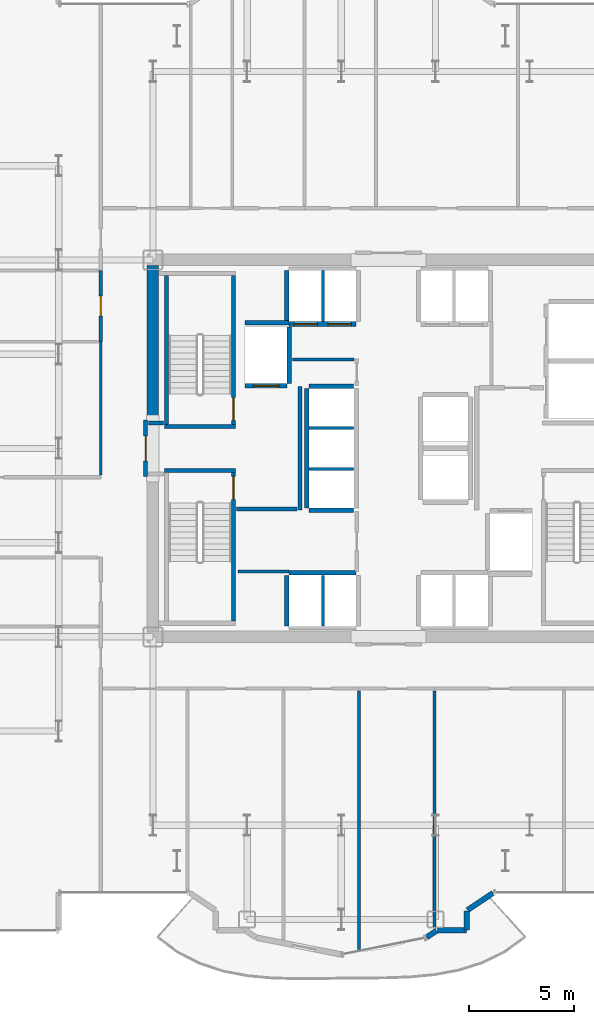
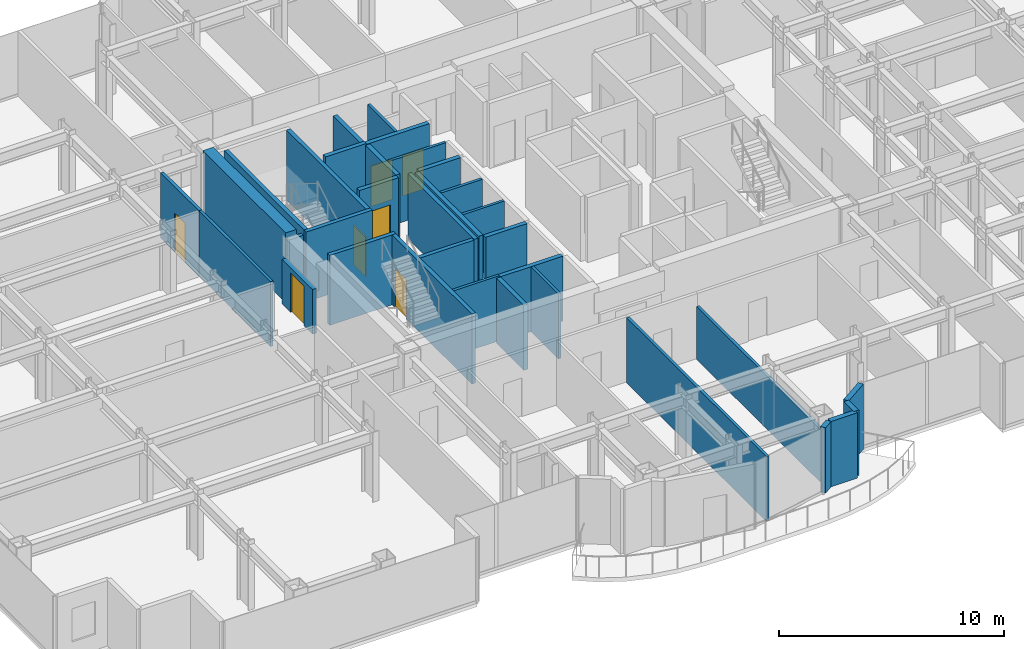
# One storey, part 23 of 29: 34 walls, 7 doors, 7 openings.
"""IFC4 building model written with IfcOpenShell, lengths in metres."""

from ifc_helpers import new_model, si_unit, direction, frame, frame_2d, origin, place, context, subcontext, project, spatial, rectangle, extrude, source, transform, mapped, material, layer, layer_set, type_object, element, fill, save


model = new_model("IFC4")

# Units and contexts
model_context = context("Model", 3, precision=1e-05, world=origin(), true_north=direction((0.0, 1.0)))
body_context = subcontext(model_context, "Body", "Model", "MODEL_VIEW")
ifc_project = project(units=[si_unit("LENGTHUNIT", "METRE"), si_unit("AREAUNIT", "SQUARE_METRE"), si_unit("VOLUMEUNIT", "CUBIC_METRE"), si_unit("PLANEANGLEUNIT", "RADIAN"), si_unit("MASSUNIT", "GRAM", prefix="KILO")], contexts=[model_context])

# Site, building, storey
site_placement = place(None, origin())
site = spatial("IfcSite", under=ifc_project, at=site_placement, CompositionType="ELEMENT")
building_placement = place(site_placement, origin())
building = spatial("IfcBuilding", under=site, at=building_placement, Name="Nefas-Gora Pilgrimage Tower", CompositionType="ELEMENT")
storey_placement = place(building_placement, frame((0.0, 0.0, 113.60009765625)))
storey = spatial("IfcBuildingStorey", under=building, at=storey_placement, Name="L27", CompositionType="ELEMENT", Elevation=113.60009765625)

# Walls
ifc_material_1 = material(Name="Concrete C60/75", Category="concrete")
ifc_layer_1 = layer(ifc_material_1, 0.550048828125)
ifc_layer_set_1 = layer_set([ifc_layer_1], Name="Concrete C60/75")
wall_type_1 = type_object("IfcWallType", Name="SW-CORE-550", PredefinedType="SHEAR", material=ifc_layer_set_1)
shared_shape_1 = source(origin(), body_context, "Body", "SweptSolid", [
    extrude(rectangle(XDim=7.375, YDim=0.550048828125, at=frame_2d((3.6875, 0.0))), origin(), (0.0, 0.0, 1.0), 3.7998046875),
])
wall_1_placement = place(storey_placement, frame((-11.25, 1.35009765625, 0.0), z_axis=(0.0, 0.0, 1.0), x_axis=(0.0, 1.0, 0.0)))
element("IfcWall", 1, at=wall_1_placement, inside=storey, type_object=wall_type_1, Name="L27 Core Shear Wall W-North", PredefinedType="SHEAR", context=body_context, shape_type="MappedRepresentation", body=[
    mapped(shared_shape_1, transform((0.0, 0.0, 0.0), x_axis=(1.0, 0.0, 0.0), y_axis=(0.0, 1.0, 0.0), z_axis=(0.0, 0.0, 1.0), scale=1.0)),
])
ifc_material_2 = material(Name="Precast concrete C40/50", Category="concrete")
ifc_layer_2 = layer(ifc_material_2, 0.260009765625)
ifc_layer_set_2 = layer_set([ifc_layer_2], Name="Precast concrete C40/50")
wall_type_2 = type_object("IfcWallType", Name="EW-PORTAL-260", PredefinedType="SOLIDWALL", material=ifc_layer_set_2)
shared_shape_2 = source(origin(), body_context, "Body", "SweptSolid", [
    extrude(rectangle(XDim=1.468994140625, YDim=0.260009765625, at=frame_2d((0.734375, 0.0))), origin(), (0.0, 0.0, 1.0), 3.5498046875),
])
wall_2_placement = place(storey_placement, frame((3.773193359375, -22.0517578125, 0.0), z_axis=(0.0, 0.0, 1.0), x_axis=(0.831461760506, 0.555581983884, 0.0)))
element("IfcWall", 2, at=wall_2_placement, inside=storey, type_object=wall_type_2, Name="L27 Lobe Shoulder Precast Spandrel Pier 42", PredefinedType="SOLIDWALL", context=body_context, shape_type="MappedRepresentation", body=[
    mapped(shared_shape_2, transform((0.0, 0.0, 0.0), x_axis=(1.0, 0.0, 0.0), y_axis=(0.0, 1.0, 0.0), z_axis=(0.0, 0.0, 1.0), scale=1.0)),
])
shared_shape_3 = source(origin(), body_context, "Body", "SweptSolid", [
    extrude(rectangle(XDim=0.896728515625, YDim=0.260009765625, at=frame_2d((0.4482421875, 0.0))), origin(), (0.0, 0.0, 1.0), 3.5498046875),
])
wall_3_placement = place(storey_placement, frame((3.75, -22.991943359375, 0.0), z_axis=(0.0, 0.0, 1.0), x_axis=(0.0, 1.0, 0.0)))
element("IfcWall", 3, at=wall_3_placement, inside=storey, type_object=wall_type_2, Name="L27 Lobe Shoulder Precast Spandrel Pier 41", PredefinedType="SOLIDWALL", context=body_context, shape_type="MappedRepresentation", body=[
    mapped(shared_shape_3, transform((0.0, 0.0, 0.0), x_axis=(1.0, 0.0, 0.0), y_axis=(0.0, 1.0, 0.0), z_axis=(0.0, 0.0, 1.0), scale=1.0)),
])
shared_shape_4 = source(origin(), body_context, "Body", "SweptSolid", [
    extrude(rectangle(XDim=1.369873046875, YDim=0.260009765625, at=frame_2d((0.68505859375, 0.0))), origin(), (0.0, 0.0, 1.0), 3.5498046875),
])
wall_4_placement = place(storey_placement, frame((2.35205078125, -23.02001953125, 0.0), z_axis=(0.0, 0.0, 1.0), x_axis=(1.0, 0.0, 0.0)))
element("IfcWall", 4, at=wall_4_placement, inside=storey, type_object=wall_type_2, Name="L27 Lobe Shoulder Precast Spandrel Pier 40", PredefinedType="SOLIDWALL", context=body_context, shape_type="MappedRepresentation", body=[
    mapped(shared_shape_4, transform((0.0, 0.0, 0.0), x_axis=(1.0, 0.0, 0.0), y_axis=(0.0, 1.0, 0.0), z_axis=(0.0, 0.0, 1.0), scale=1.0)),
])
shared_shape_5 = source(origin(), body_context, "Body", "SweptSolid", [
    extrude(rectangle(XDim=0.5654296875, YDim=0.260009765625, at=frame_2d((0.28271484375, 0.0))), origin(), (0.0, 0.0, 1.0), 3.5498046875),
])
wall_5_placement = place(storey_placement, frame((1.83056640625, -23.349609375, 0.0), z_axis=(0.0, 0.0, 1.0), x_axis=(0.831651492666, 0.555297933317, 0.0)))
element("IfcWall", 5, at=wall_5_placement, inside=storey, type_object=wall_type_2, Name="L27 Lobe Shoulder Precast Spandrel Pier 39", PredefinedType="SOLIDWALL", context=body_context, shape_type="MappedRepresentation", body=[
    mapped(shared_shape_5, transform((0.0, 0.0, 0.0), x_axis=(1.0, 0.0, 0.0), y_axis=(0.0, 1.0, 0.0), z_axis=(0.0, 0.0, 1.0), scale=1.0)),
])
ifc_material_3 = material(Name="Concrete C45/55", Category="concrete")
ifc_layer_3 = layer(ifc_material_3, 0.199951171875)
ifc_layer_set_3 = layer_set([ifc_layer_3], Name="Concrete C45/55")
wall_type_3 = type_object("IfcWallType", Name="IW-STAIR-200", PredefinedType="SOLIDWALL", material=ifc_layer_set_3)
shared_shape_6 = source(origin(), body_context, "Body", "SweptSolid", [
    extrude(rectangle(XDim=3.39990234375, YDim=0.199951171875, at=frame_2d((1.699951171875, 0.0))), origin(), (0.0, 0.0, 1.0), 3.7998046875),
])
for number, where, z_axis, x_axis, name in (
    (6, (-7.300048828125, 1.050048828125, 0.0), (0.0, 0.0, 1.0), (-1.0, 0.0, 0.0), "L27 Stairwell Shear Wall ST-01-near"),
    (7, (-10.699951171875, -1.050048828125, 0.0), (0.0, 0.0, 1.0), (1.0, 0.0, 0.0), "L27 Stairwell Shear Wall ST-03-near"),
):
    element("IfcWall", number, at=place(storey_placement, frame(where, z_axis=z_axis, x_axis=x_axis)), inside=storey, type_object=wall_type_3, Name=name, PredefinedType="SOLIDWALL", context=body_context, shape_type="MappedRepresentation", body=[
        mapped(shared_shape_6, transform((0.0, 0.0, 0.0), x_axis=(1.0, 0.0, 0.0), y_axis=(0.0, 1.0, 0.0), z_axis=(0.0, 0.0, 1.0), scale=1.0)),
    ])

# Wall, opening, door
shared_shape_7 = source(origin(), body_context, "Body", "SweptSolid", [
    extrude(rectangle(XDim=7.10009765625, YDim=0.199951171875, at=frame_2d((3.550048828125, 0.0))), origin(), (0.0, 0.0, 1.0), 3.7998046875),
])
wall_6_placement = place(storey_placement, frame((-7.39990234375, 1.14990234375, 0.0), z_axis=(0.0, 0.0, 1.0), x_axis=(0.0, 1.0, 0.0)))
wall_6 = element("IfcWall", 8, at=wall_6_placement, inside=storey, type_object=wall_type_3, Name="L27 Stairwell Shear Wall ST-01-left", PredefinedType="SOLIDWALL", context=body_context, shape_type="MappedRepresentation", body=[
    mapped(shared_shape_7, transform((0.0, 0.0, 0.0), x_axis=(1.0, 0.0, 0.0), y_axis=(0.0, 1.0, 0.0), z_axis=(0.0, 0.0, 1.0), scale=1.0)),
])
opening_1_placement = place(wall_6_placement, frame((0.179931640625, 0.0, 0.0)))
opening_1 = element("IfcOpeningElement", 9, at=opening_1_placement, cuts=wall_6, Name="Opening ID-ST1", PredefinedType="OPENING", context=body_context, shape_type="SweptSolid", body=[
    extrude(rectangle(XDim=1.10009765625, YDim=2.14990234375, at=frame_2d((0.550048828125, 1.074951171875))), frame((0.0, 0.10986328125, 0.0), z_axis=(0.0, -1.0, 0.0), x_axis=(1.0, 0.0, 0.0)), (0.0, 0.0, 1.0), 0.219970703125),
])
ifc_material_4 = material(Name="Painted galvanised steel fire stair door", Category="steel")
door_type_1 = type_object("IfcDoorType", Name="DR-INT-STAIR-1100", OperationType="NOTDEFINED", PredefinedType="DOOR", material=ifc_material_4)
shared_shape_8 = source(origin(), body_context, "Body", "SweptSolid", [
    extrude(rectangle(XDim=1.10009765625, YDim=2.14990234375, at=frame_2d((0.550048828125, 1.074951171875))), frame((0.0, 0.02490234375, 0.0), z_axis=(0.0, -1.0, 0.0), x_axis=(1.0, 0.0, 0.0)), (0.0, 0.0, 1.0), 0.050048828125),
])
door_1_placement = place(opening_1_placement, origin())
door_1 = element("IfcDoor", 10, at=door_1_placement, inside=storey, type_object=door_type_1, Name="L27 Protected Exit Stair Door ST-01", OperationType="SINGLE_SWING_LEFT", OverallHeight=2.14990234375, OverallWidth=1.10009765625, PredefinedType="DOOR", context=body_context, shape_type="MappedRepresentation", body=[
    mapped(shared_shape_8, transform((0.0, 0.0, 0.0), x_axis=(1.0, 0.0, 0.0), y_axis=(0.0, 1.0, 0.0), z_axis=(0.0, 0.0, 1.0), scale=1.0)),
])
fill(opening_1, door_1)

# Wall
wall_7_placement = place(storey_placement, frame((-10.60009765625, 1.14990234375, 0.0), z_axis=(0.0, 0.0, 1.0), x_axis=(0.0, 1.0, 0.0)))
element("IfcWall", 11, at=wall_7_placement, inside=storey, type_object=wall_type_3, Name="L27 Stairwell Shear Wall ST-01-right", PredefinedType="SOLIDWALL", context=body_context, shape_type="MappedRepresentation", body=[
    mapped(shared_shape_7, transform((0.0, 0.0, 0.0), x_axis=(1.0, 0.0, 0.0), y_axis=(0.0, 1.0, 0.0), z_axis=(0.0, 0.0, 1.0), scale=1.0)),
])

# Wall, opening, door
wall_8_placement = place(storey_placement, frame((-7.39990234375, -1.14990234375, 0.0), z_axis=(0.0, 0.0, 1.0), x_axis=(0.0, -1.0, 0.0)))
wall_8 = element("IfcWall", 12, at=wall_8_placement, inside=storey, type_object=wall_type_3, Name="L27 Stairwell Shear Wall ST-03-right", PredefinedType="SOLIDWALL", context=body_context, shape_type="MappedRepresentation", body=[
    mapped(shared_shape_7, transform((0.0, 0.0, 0.0), x_axis=(1.0, 0.0, 0.0), y_axis=(0.0, 1.0, 0.0), z_axis=(0.0, 0.0, 1.0), scale=1.0)),
])
opening_2_placement = place(wall_8_placement, frame((0.179931640625, 0.0, 0.0)))
opening_2 = element("IfcOpeningElement", 13, at=opening_2_placement, cuts=wall_8, Name="Opening ID-ST1", PredefinedType="OPENING", context=body_context, shape_type="SweptSolid", body=[
    extrude(rectangle(XDim=1.10009765625, YDim=2.14990234375, at=frame_2d((0.550048828125, 1.074951171875))), frame((0.0, 0.10986328125, 0.0), z_axis=(0.0, -1.0, 0.0), x_axis=(1.0, 0.0, 0.0)), (0.0, 0.0, 1.0), 0.219970703125),
])
door_2_placement = place(opening_2_placement, origin())
door_2 = element("IfcDoor", 14, at=door_2_placement, inside=storey, type_object=door_type_1, Name="L27 Protected Exit Stair Door ST-03", OperationType="SINGLE_SWING_LEFT", OverallHeight=2.14990234375, OverallWidth=1.10009765625, PredefinedType="DOOR", context=body_context, shape_type="MappedRepresentation", body=[
    mapped(shared_shape_8, transform((0.0, 0.0, 0.0), x_axis=(1.0, 0.0, 0.0), y_axis=(0.0, 1.0, 0.0), z_axis=(0.0, 0.0, 1.0), scale=1.0)),
])
fill(opening_2, door_2)

ifc_material_5 = material(Name="Concrete C40/50", Category="concrete")
ifc_layer_4 = layer(ifc_material_5, 0.219970703125)
ifc_layer_set_4 = layer_set([ifc_layer_4], Name="Concrete C40/50")
wall_type_4 = type_object("IfcWallType", Name="IW-SHAFT-220", PredefinedType="SOLIDWALL", material=ifc_layer_set_4)
shared_shape_9 = source(origin(), body_context, "Body", "SweptSolid", [
    extrude(rectangle(XDim=2.0, YDim=0.219970703125, at=frame_2d((1.0, 0.0))), origin(), (0.0, 0.0, 1.0), 3.534912109375),
])
wall_9_placement = place(storey_placement, frame((-6.85009765625, 2.989990234375, 0.0), z_axis=(0.0, 0.0, 1.0), x_axis=(1.0, 0.0, 0.0)))
wall_9 = element("IfcWall", 15, at=wall_9_placement, inside=storey, type_object=wall_type_4, Name="L27 Hoistway Wall FFL-01-S", PredefinedType="SOLIDWALL", context=body_context, shape_type="MappedRepresentation", body=[
    mapped(shared_shape_9, transform((0.0, 0.0, 0.0), x_axis=(1.0, 0.0, 0.0), y_axis=(0.0, 1.0, 0.0), z_axis=(0.0, 0.0, 1.0), scale=1.0)),
])
opening_3_placement = place(wall_9_placement, frame((0.39990234375, 0.0, 0.0)))
opening_3 = element("IfcOpeningElement", 16, at=opening_3_placement, cuts=wall_9, Name="Opening LD-FF", PredefinedType="OPENING", context=body_context, shape_type="SweptSolid", body=[
    extrude(rectangle(XDim=1.199951171875, YDim=2.199951171875, at=frame_2d((0.60009765625, 1.10009765625))), frame((0.0, 0.119873046875, 0.0), z_axis=(0.0, -1.0, 0.0), x_axis=(1.0, 0.0, 0.0)), (0.0, 0.0, 1.0), 0.239990234375),
])
ifc_material_6 = material(Name="Fire-service sliding lift landing door")
door_type_2 = type_object("IfcDoorType", Name="DR-LIFT-FSAE-1200", OperationType="SLIDING_TO_LEFT", PredefinedType="DOOR", material=ifc_material_6)
shared_shape_10 = source(origin(), body_context, "Body", "SweptSolid", [
    extrude(rectangle(XDim=1.199951171875, YDim=2.199951171875, at=frame_2d((0.60009765625, 1.10009765625))), frame((0.0, 0.02490234375, 0.0), z_axis=(0.0, -1.0, 0.0), x_axis=(1.0, 0.0, 0.0)), (0.0, 0.0, 1.0), 0.050048828125),
])
door_3_placement = place(opening_3_placement, origin())
door_3 = element("IfcDoor", 17, at=door_3_placement, inside=storey, type_object=door_type_2, Name="L27 Sliding Lift Landing Door FFL-01", OperationType="SLIDING_TO_LEFT", OverallHeight=2.199951171875, OverallWidth=1.199951171875, PredefinedType="DOOR", context=body_context, shape_type="MappedRepresentation", body=[
    mapped(shared_shape_10, transform((0.0, 0.0, 0.0), x_axis=(1.0, 0.0, 0.0), y_axis=(0.0, 1.0, 0.0), z_axis=(0.0, 0.0, 1.0), scale=1.0)),
])
fill(opening_3, door_3)

# Wall
shared_shape_11 = source(origin(), body_context, "Body", "SweptSolid", [
    extrude(rectangle(XDim=2.679931640625, YDim=0.219970703125, at=frame_2d((1.33984375, 0.0))), origin(), (0.0, 0.0, 1.0), 3.534912109375),
])
wall_10_placement = place(storey_placement, frame((-4.739990234375, 3.110107421875, 0.0), z_axis=(0.0, 0.0, 1.0), x_axis=(0.0, 1.0, 0.0)))
element("IfcWall", 18, at=wall_10_placement, inside=storey, type_object=wall_type_4, Name="L27 Hoistway Wall FFL-01-E", PredefinedType="SOLIDWALL", context=body_context, shape_type="MappedRepresentation", body=[
    mapped(shared_shape_11, transform((0.0, 0.0, 0.0), x_axis=(1.0, 0.0, 0.0), y_axis=(0.0, 1.0, 0.0), z_axis=(0.0, 0.0, 1.0), scale=1.0)),
])

# Wall, openings, doors
shared_shape_12 = source(origin(), body_context, "Body", "SweptSolid", [
    extrude(rectangle(XDim=3.199951171875, YDim=0.219970703125, at=frame_2d((1.60009765625, 0.0))), origin(), (0.0, 0.0, 1.0), 3.534912109375),
])
wall_11_placement = place(storey_placement, frame((-4.75, 5.93994140625, 0.0), z_axis=(0.0, 0.0, 1.0), x_axis=(1.0, 0.0, 0.0)))
wall_11 = element("IfcWall", 19, at=wall_11_placement, inside=storey, type_object=wall_type_4, Name="L27 Hoistway Wall PL1-W-S", PredefinedType="SOLIDWALL", context=body_context, shape_type="MappedRepresentation", body=[
    mapped(shared_shape_12, transform((0.0, 0.0, 0.0), x_axis=(1.0, 0.0, 0.0), y_axis=(0.0, 1.0, 0.0), z_axis=(0.0, 0.0, 1.0), scale=1.0)),
])
opening_4_placement = place(wall_11_placement, frame((0.25, 0.0, 0.0)))
opening_4 = element("IfcOpeningElement", 20, at=opening_4_placement, cuts=wall_11, Name="Opening LD-01", PredefinedType="OPENING", context=body_context, shape_type="SweptSolid", body=[
    extrude(rectangle(XDim=1.10009765625, YDim=2.199951171875, at=frame_2d((0.550048828125, 1.10009765625))), frame((0.0, 0.119873046875, 0.0), z_axis=(0.0, -1.0, 0.0), x_axis=(1.0, 0.0, 0.0)), (0.0, 0.0, 1.0), 0.239990234375),
])
opening_5_placement = place(wall_11_placement, frame((1.875, 0.0, 0.0)))
opening_5 = element("IfcOpeningElement", 21, at=opening_5_placement, cuts=wall_11, Name="Opening LD-01", PredefinedType="OPENING", context=body_context, shape_type="SweptSolid", body=[
    extrude(rectangle(XDim=1.10009765625, YDim=2.199951171875, at=frame_2d((0.550048828125, 1.10009765625))), frame((0.0, 0.119873046875, 0.0), z_axis=(0.0, -1.0, 0.0), x_axis=(1.0, 0.0, 0.0)), (0.0, 0.0, 1.0), 0.239990234375),
])
ifc_material_7 = material(Name="Brushed stainless sliding lift landing door")
door_type_3 = type_object("IfcDoorType", Name="DR-LIFT-PASS-1100", OperationType="DOUBLE_DOOR_SLIDING", PredefinedType="DOOR", material=ifc_material_7)
shared_shape_13 = source(origin(), body_context, "Body", "SweptSolid", [
    extrude(rectangle(XDim=1.10009765625, YDim=2.199951171875, at=frame_2d((0.550048828125, 1.10009765625))), frame((0.0, 0.02490234375, 0.0), z_axis=(0.0, -1.0, 0.0), x_axis=(1.0, 0.0, 0.0)), (0.0, 0.0, 1.0), 0.050048828125),
])
door_4_placement = place(opening_4_placement, origin())
door_4 = element("IfcDoor", 22, at=door_4_placement, inside=storey, type_object=door_type_3, Name="L27 Sliding Lift Landing Door PL1-01", OperationType="DOUBLE_DOOR_SLIDING", OverallHeight=2.199951171875, OverallWidth=1.10009765625, PredefinedType="DOOR", context=body_context, shape_type="MappedRepresentation", body=[
    mapped(shared_shape_13, transform((0.0, 0.0, 0.0), x_axis=(1.0, 0.0, 0.0), y_axis=(0.0, 1.0, 0.0), z_axis=(0.0, 0.0, 1.0), scale=1.0)),
])
fill(opening_4, door_4)
door_5_placement = place(opening_5_placement, origin())
door_5 = element("IfcDoor", 23, at=door_5_placement, inside=storey, type_object=door_type_3, Name="L27 Sliding Lift Landing Door PL1-02", OperationType="DOUBLE_DOOR_SLIDING", OverallHeight=2.199951171875, OverallWidth=1.10009765625, PredefinedType="DOOR", context=body_context, shape_type="MappedRepresentation", body=[
    mapped(shared_shape_13, transform((0.0, 0.0, 0.0), x_axis=(1.0, 0.0, 0.0), y_axis=(0.0, 1.0, 0.0), z_axis=(0.0, 0.0, 1.0), scale=1.0)),
])
fill(opening_5, door_5)

# Walls
wall_12_placement = place(storey_placement, frame((-1.550048828125, -5.93994140625, 0.0), z_axis=(0.0, 0.0, 1.0), x_axis=(-1.0, 0.0, 0.0)))
element("IfcWall", 24, at=wall_12_placement, inside=storey, type_object=wall_type_4, Name="L27 Hoistway Wall PL2-W-N", PredefinedType="SOLIDWALL", context=body_context, shape_type="MappedRepresentation", body=[
    mapped(shared_shape_12, transform((0.0, 0.0, 0.0), x_axis=(1.0, 0.0, 0.0), y_axis=(0.0, 1.0, 0.0), z_axis=(0.0, 0.0, 1.0), scale=1.0)),
])
shared_shape_14 = source(origin(), body_context, "Body", "SweptSolid", [
    extrude(rectangle(XDim=2.429931640625, YDim=0.219970703125, at=frame_2d((1.21484375, 0.0))), origin(), (0.0, 0.0, 1.0), 3.534912109375),
])
for number, where, z_axis, x_axis, name in (
    (25, (-4.860107421875, 8.489990234375, 0.0), (0.0, 0.0, 1.0), (0.0, -1.0, 0.0), "L27 Hoistway Wall PL1-W-W"),
    (26, (-4.860107421875, -6.06005859375, 0.0), (0.0, 0.0, 1.0), (0.0, -1.0, 0.0), "L27 Hoistway Wall PL2-W-W"),
):
    element("IfcWall", number, at=place(storey_placement, frame(where, z_axis=z_axis, x_axis=x_axis)), inside=storey, type_object=wall_type_4, Name=name, PredefinedType="SOLIDWALL", context=body_context, shape_type="MappedRepresentation", body=[
        mapped(shared_shape_14, transform((0.0, 0.0, 0.0), x_axis=(1.0, 0.0, 0.0), y_axis=(0.0, 1.0, 0.0), z_axis=(0.0, 0.0, 1.0), scale=1.0)),
    ])
ifc_material_8 = material(Name="Gypsum twin-stud partition")
ifc_layer_5 = layer(ifc_material_8, 0.139892578125)
ifc_layer_set_5 = layer_set([ifc_layer_5], Name="Gypsum twin-stud partition")
wall_type_5 = type_object("IfcWallType", Name="IW-UNIT-140", PredefinedType="PARTITIONING", material=ifc_layer_set_5)
shared_shape_15 = source(origin(), body_context, "Body", "SweptSolid", [
    extrude(rectangle(XDim=2.429931640625, YDim=0.139892578125, at=frame_2d((1.21484375, 0.0))), origin(), (0.0, 0.0, 1.0), 3.534912109375),
])
for number, where, z_axis, x_axis, name in (
    (27, (-3.125, 6.06005859375, 0.0), (0.0, 0.0, 1.0), (0.0, 1.0, 0.0), "L27 Hoistway Wall PL1-W-DIV"),
    (28, (-3.125, -8.489990234375, 0.0), (0.0, 0.0, 1.0), (0.0, 1.0, 0.0), "L27 Hoistway Wall PL2-W-DIV"),
):
    element("IfcWall", number, at=place(storey_placement, frame(where, z_axis=z_axis, x_axis=x_axis)), inside=storey, type_object=wall_type_5, Name=name, PredefinedType="PARTITIONING", context=body_context, shape_type="MappedRepresentation", body=[
        mapped(shared_shape_15, transform((0.0, 0.0, 0.0), x_axis=(1.0, 0.0, 0.0), y_axis=(0.0, 1.0, 0.0), z_axis=(0.0, 0.0, 1.0), scale=1.0)),
    ])
shared_shape_16 = source(origin(), body_context, "Body", "SweptSolid", [
    extrude(rectangle(XDim=5.7001953125, YDim=0.219970703125, at=frame_2d((2.85009765625, 0.0))), origin(), (0.0, 0.0, 1.0), 3.534912109375),
])
wall_13_placement = place(storey_placement, frame((-3.909912109375, 2.85009765625, 0.0), z_axis=(0.0, 0.0, 1.0), x_axis=(0.0, -1.0, 0.0)))
element("IfcWall", 29, at=wall_13_placement, inside=storey, type_object=wall_type_4, Name="L27 Hoistway Wall PL3-01-03-W", PredefinedType="SOLIDWALL", context=body_context, shape_type="MappedRepresentation", body=[
    mapped(shared_shape_16, transform((0.0, 0.0, 0.0), x_axis=(1.0, 0.0, 0.0), y_axis=(0.0, 1.0, 0.0), z_axis=(0.0, 0.0, 1.0), scale=1.0)),
])
shared_shape_17 = source(origin(), body_context, "Body", "SweptSolid", [
    extrude(rectangle(XDim=2.130126953125, YDim=0.219970703125, at=frame_2d((1.06494140625, 0.0))), origin(), (0.0, 0.0, 1.0), 3.534912109375),
])
for number, where, z_axis, x_axis, name in (
    (30, (-3.7900390625, -2.9599609375, 0.0), (0.0, 0.0, 1.0), (1.0, 0.0, 0.0), "L27 Hoistway Wall PL3-01-S"),
    (31, (-1.659912109375, 2.9599609375, 0.0), (0.0, 0.0, 1.0), (-1.0, 0.0, 0.0), "L27 Hoistway Wall PL3-03-N"),
):
    element("IfcWall", number, at=place(storey_placement, frame(where, z_axis=z_axis, x_axis=x_axis)), inside=storey, type_object=wall_type_4, Name=name, PredefinedType="SOLIDWALL", context=body_context, shape_type="MappedRepresentation", body=[
        mapped(shared_shape_17, transform((0.0, 0.0, 0.0), x_axis=(1.0, 0.0, 0.0), y_axis=(0.0, 1.0, 0.0), z_axis=(0.0, 0.0, 1.0), scale=1.0)),
    ])
shared_shape_18 = source(origin(), body_context, "Body", "SweptSolid", [
    extrude(rectangle(XDim=2.130126953125, YDim=0.139892578125, at=frame_2d((1.06494140625, 0.0))), origin(), (0.0, 0.0, 1.0), 3.534912109375),
])
for number, where, z_axis, x_axis, name in (
    (32, (-3.7900390625, -0.97509765625, 0.0), (0.0, 0.0, 1.0), (1.0, 0.0, 0.0), "L27 Hoistway Wall PL3-01-02-DIV"),
    (33, (-3.7900390625, 0.97509765625, 0.0), (0.0, 0.0, 1.0), (1.0, 0.0, 0.0), "L27 Hoistway Wall PL3-02-03-DIV"),
):
    element("IfcWall", number, at=place(storey_placement, frame(where, z_axis=z_axis, x_axis=x_axis)), inside=storey, type_object=wall_type_5, Name=name, PredefinedType="PARTITIONING", context=body_context, shape_type="MappedRepresentation", body=[
        mapped(shared_shape_18, transform((0.0, 0.0, 0.0), x_axis=(1.0, 0.0, 0.0), y_axis=(0.0, 1.0, 0.0), z_axis=(0.0, 0.0, 1.0), scale=1.0)),
    ])
shared_shape_19 = source(origin(), body_context, "Body", "SweptSolid", [
    extrude(rectangle(XDim=2.09521484375, YDim=0.219970703125, at=frame_2d((1.047607421875, 0.0))), origin(), (0.0, 0.0, 1.0), 3.534912109375),
])
wall_14_placement = place(storey_placement, frame((-6.85009765625, 6.0, 0.0), z_axis=(0.0, 0.0, 1.0), x_axis=(1.0, 0.0, 0.0)))
element("IfcWall", 34, at=wall_14_placement, inside=storey, type_object=wall_type_4, Name="L27 Riser Shaft Wall 1", PredefinedType="SOLIDWALL", context=body_context, shape_type="MappedRepresentation", body=[
    mapped(shared_shape_19, transform((0.0, 0.0, 0.0), x_axis=(1.0, 0.0, 0.0), y_axis=(0.0, 1.0, 0.0), z_axis=(0.0, 0.0, 1.0), scale=1.0)),
])
ifc_material_9 = material(Name="Gypsum fire-rated shaftwall")
ifc_layer_6 = layer(ifc_material_9, 0.199951171875)
ifc_layer_set_6 = layer_set([ifc_layer_6], Name="Gypsum fire-rated shaftwall")
wall_type_6 = type_object("IfcWallType", Name="IW-FFLOB-200", PredefinedType="PARTITIONING", material=ifc_layer_set_6)
shared_shape_20 = source(origin(), body_context, "Body", "SweptSolid", [
    extrude(rectangle(XDim=5.89990234375, YDim=0.199951171875, at=frame_2d((2.949951171875, 0.0))), origin(), (0.0, 0.0, 1.0), 3.534912109375),
])
wall_15_placement = place(storey_placement, frame((-4.219970703125, -2.949951171875, 0.0), z_axis=(0.0, 0.0, 1.0), x_axis=(0.0, 1.0, 0.0)))
element("IfcWall", 35, at=wall_15_placement, inside=storey, type_object=wall_type_6, Name="L27 FF Lobby West Inner Wall Wall 4", PredefinedType="PARTITIONING", context=body_context, shape_type="MappedRepresentation", body=[
    mapped(shared_shape_20, transform((0.0, 0.0, 0.0), x_axis=(1.0, 0.0, 0.0), y_axis=(0.0, 1.0, 0.0), z_axis=(0.0, 0.0, 1.0), scale=1.0)),
])
shared_shape_21 = source(origin(), body_context, "Body", "SweptSolid", [
    extrude(rectangle(XDim=2.89990234375, YDim=0.199951171875, at=frame_2d((1.449951171875, 0.0))), origin(), (0.0, 0.0, 1.0), 3.534912109375),
])
wall_16_placement = place(storey_placement, frame((-7.260009765625, -2.89990234375, 0.0), z_axis=(0.0, 0.0, 1.0), x_axis=(1.0, 0.0, 0.0)))
element("IfcWall", 36, at=wall_16_placement, inside=storey, type_object=wall_type_6, Name="L27 FF Lobby West South Wall Wall 5", PredefinedType="PARTITIONING", context=body_context, shape_type="MappedRepresentation", body=[
    mapped(shared_shape_21, transform((0.0, 0.0, 0.0), x_axis=(1.0, 0.0, 0.0), y_axis=(0.0, 1.0, 0.0), z_axis=(0.0, 0.0, 1.0), scale=1.0)),
])
shared_shape_22 = source(origin(), body_context, "Body", "SweptSolid", [
    extrude(rectangle(XDim=0.719970703125, YDim=0.199951171875, at=frame_2d((0.35986328125, 0.0))), origin(), (0.0, 0.0, 1.0), 3.534912109375),
])
wall_17_placement = place(storey_placement, frame((-11.4599609375, 1.219970703125, 0.0), z_axis=(0.0, 0.0, 1.0), x_axis=(1.0, 0.0, 0.0)))
element("IfcWall", 37, at=wall_17_placement, inside=storey, type_object=wall_type_6, Name="L27 FF Lobby West Throat N Wall 6", PredefinedType="PARTITIONING", context=body_context, shape_type="MappedRepresentation", body=[
    mapped(shared_shape_22, transform((0.0, 0.0, 0.0), x_axis=(1.0, 0.0, 0.0), y_axis=(0.0, 1.0, 0.0), z_axis=(0.0, 0.0, 1.0), scale=1.0)),
])
shared_shape_23 = source(origin(), body_context, "Body", "SweptSolid", [
    extrude(rectangle(XDim=2.9501953125, YDim=0.139892578125, at=frame_2d((1.47509765625, 0.0))), origin(), (0.0, 0.0, 1.0), 3.534912109375),
])
wall_18_placement = place(storey_placement, frame((-4.590087890625, 4.25, 0.0), z_axis=(0.0, 0.0, 1.0), x_axis=(1.0, 0.0, 0.0)))
element("IfcWall", 38, at=wall_18_placement, inside=storey, type_object=wall_type_5, Name="L27 Housekeeping and Linen Store Partition Wall 17", PredefinedType="PARTITIONING", context=body_context, shape_type="MappedRepresentation", body=[
    mapped(shared_shape_23, transform((0.0, 0.0, 0.0), x_axis=(1.0, 0.0, 0.0), y_axis=(0.0, 1.0, 0.0), z_axis=(0.0, 0.0, 1.0), scale=1.0)),
])
shared_shape_24 = source(origin(), body_context, "Body", "SweptSolid", [
    extrude(rectangle(XDim=2.43505859375, YDim=0.139892578125, at=frame_2d((1.217529296875, 0.0))), origin(), (0.0, 0.0, 1.0), 3.534912109375),
])
wall_19_placement = place(storey_placement, frame((-7.18994140625, -5.8798828125, 0.0), z_axis=(0.0, 0.0, 1.0), x_axis=(1.0, 0.0, 0.0)))
element("IfcWall", 39, at=wall_19_placement, inside=storey, type_object=wall_type_5, Name="L27 Pilgrim Baggage and Gear Vault Partition Wall 19", PredefinedType="PARTITIONING", context=body_context, shape_type="MappedRepresentation", body=[
    mapped(shared_shape_24, transform((0.0, 0.0, 0.0), x_axis=(1.0, 0.0, 0.0), y_axis=(0.0, 1.0, 0.0), z_axis=(0.0, 0.0, 1.0), scale=1.0)),
])

# Wall, opening, door
shared_shape_25 = source(origin(), body_context, "Body", "SweptSolid", [
    extrude(rectangle(XDim=2.7001953125, YDim=0.199951171875, at=frame_2d((1.35009765625, 0.0))), origin(), (0.0, 0.0, 1.0), 2.4248046875),
])
wall_20_placement = place(storey_placement, frame((-11.60009765625, -1.35009765625, 0.0), z_axis=(0.0, 0.0, 1.0), x_axis=(0.0, 1.0, 0.0)))
wall_20 = element("IfcWall", 40, at=wall_20_placement, inside=storey, type_object=wall_type_6, Name="L27 FF Lobby West Portal Wall 3", PredefinedType="PARTITIONING", context=body_context, shape_type="MappedRepresentation", body=[
    mapped(shared_shape_25, transform((0.0, 0.0, 0.0), x_axis=(1.0, 0.0, 0.0), y_axis=(0.0, 1.0, 0.0), z_axis=(0.0, 0.0, 1.0), scale=1.0)),
])
opening_6_placement = place(wall_20_placement, frame((0.75, 0.0, 0.0)))
opening_6 = element("IfcOpeningElement", 41, at=opening_6_placement, cuts=wall_20, Name="Opening ID-FF1", PredefinedType="OPENING", context=body_context, shape_type="SweptSolid", body=[
    extrude(rectangle(XDim=1.199951171875, YDim=2.14990234375, at=frame_2d((0.60009765625, 1.074951171875))), frame((0.0, 0.10986328125, 0.0), z_axis=(0.0, -1.0, 0.0), x_axis=(1.0, 0.0, 0.0)), (0.0, 0.0, 1.0), 0.219970703125),
])
ifc_material_10 = material(Name="Smoke-sealed steel firefighting lobby door", Category="steel")
door_type_4 = type_object("IfcDoorType", Name="DR-INT-FFLOB-1200", OperationType="NOTDEFINED", PredefinedType="DOOR", material=ifc_material_10)
shared_shape_26 = source(origin(), body_context, "Body", "SweptSolid", [
    extrude(rectangle(XDim=1.199951171875, YDim=2.14990234375, at=frame_2d((0.60009765625, 1.074951171875))), frame((0.0, 0.02490234375, 0.0), z_axis=(0.0, -1.0, 0.0), x_axis=(1.0, 0.0, 0.0)), (0.0, 0.0, 1.0), 0.050048828125),
])
door_6_placement = place(opening_6_placement, origin())
door_6 = element("IfcDoor", 42, at=door_6_placement, inside=storey, type_object=door_type_4, Name="L27 FF Lobby West Portal Door 1", OperationType="SINGLE_SWING_LEFT", OverallHeight=2.14990234375, OverallWidth=1.199951171875, PredefinedType="DOOR", context=body_context, shape_type="MappedRepresentation", body=[
    mapped(shared_shape_26, transform((0.0, 0.0, 0.0), x_axis=(1.0, 0.0, 0.0), y_axis=(0.0, 1.0, 0.0), z_axis=(0.0, 0.0, 1.0), scale=1.0)),
])
fill(opening_6, door_6)

ifc_material_11 = material(Name="Gypsum acoustic stud partition")
ifc_layer_7 = layer(ifc_material_11, 0.159912109375)
ifc_layer_set_7 = layer_set([ifc_layer_7], Name="Gypsum acoustic stud partition")
wall_type_7 = type_object("IfcWallType", Name="IW-CORR-160", PredefinedType="PARTITIONING", material=ifc_layer_set_7)
shared_shape_27 = source(origin(), body_context, "Body", "SweptSolid", [
    extrude(rectangle(XDim=3.409912109375, YDim=0.159912109375, at=frame_2d((1.705078125, 0.0))), origin(), (0.0, 0.0, 1.0), 3.534912109375),
])
wall_21_placement = place(storey_placement, frame((-13.739990234375, 5.094970703125, 0.0), z_axis=(0.0, 0.0, 1.0), x_axis=(0.0, 1.0, 0.0)))
wall_21 = element("IfcWall", 43, at=wall_21_placement, inside=storey, type_object=wall_type_7, Name="L27 Pilgrim Fellowship Seminar Room Partition Wall 31", PredefinedType="PARTITIONING", context=body_context, shape_type="MappedRepresentation", body=[
    mapped(shared_shape_27, transform((0.0, 0.0, 0.0), x_axis=(1.0, 0.0, 0.0), y_axis=(0.0, 1.0, 0.0), z_axis=(0.0, 0.0, 1.0), scale=1.0)),
])
opening_7_placement = place(wall_21_placement, frame((1.22998046875, 0.0, 0.0)))
opening_7 = element("IfcOpeningElement", 44, at=opening_7_placement, cuts=wall_21, Name="Opening ID-GR1", PredefinedType="OPENING", context=body_context, shape_type="SweptSolid", body=[
    extrude(rectangle(XDim=0.949951171875, YDim=2.10009765625, at=frame_2d((0.47509765625, 1.050048828125))), frame((0.0, 0.08984375, 0.0), z_axis=(0.0, -1.0, 0.0), x_axis=(1.0, 0.0, 0.0)), (0.0, 0.0, 1.0), 0.179931640625),
])
ifc_material_12 = material(Name="Solid core oak fire-rated guest entrance door")
door_type_5 = type_object("IfcDoorType", Name="DR-INT-GUEST-950", OperationType="NOTDEFINED", PredefinedType="DOOR", material=ifc_material_12)
shared_shape_28 = source(origin(), body_context, "Body", "SweptSolid", [
    extrude(rectangle(XDim=0.949951171875, YDim=2.10009765625, at=frame_2d((0.47509765625, 1.050048828125))), frame((0.0, 0.02490234375, 0.0), z_axis=(0.0, -1.0, 0.0), x_axis=(1.0, 0.0, 0.0)), (0.0, 0.0, 1.0), 0.050048828125),
])
door_7_placement = place(opening_7_placement, origin())
door_7 = element("IfcDoor", 45, at=door_7_placement, inside=storey, type_object=door_type_5, Name="L27 Pilgrim Fellowship Seminar Room Door 13", OperationType="SINGLE_SWING_LEFT", OverallHeight=2.10009765625, OverallWidth=0.949951171875, PredefinedType="DOOR", context=body_context, shape_type="MappedRepresentation", body=[
    mapped(shared_shape_28, transform((0.0, 0.0, 0.0), x_axis=(1.0, 0.0, 0.0), y_axis=(0.0, 1.0, 0.0), z_axis=(0.0, 0.0, 1.0), scale=1.0)),
])
fill(opening_7, door_7)

# Walls
shared_shape_29 = source(origin(), body_context, "Body", "SweptSolid", [
    extrude(rectangle(XDim=6.364990234375, YDim=0.139892578125, at=frame_2d((3.1826171875, 0.0))), origin(), (0.0, 0.0, 1.0), 3.534912109375),
])
wall_22_placement = place(storey_placement, frame((-13.739990234375, -1.260009765625, 0.0), z_axis=(0.0, 0.0, 1.0), x_axis=(0.0, 1.0, 0.0)))
element("IfcWall", 46, at=wall_22_placement, inside=storey, type_object=wall_type_5, Name="L27 Pilgrim Devotional Prayer Gallery Partition Wall 28", PredefinedType="PARTITIONING", context=body_context, shape_type="MappedRepresentation", body=[
    mapped(shared_shape_29, transform((0.0, 0.0, 0.0), x_axis=(1.0, 0.0, 0.0), y_axis=(0.0, 1.0, 0.0), z_axis=(0.0, 0.0, 1.0), scale=1.0)),
])
shared_shape_30 = source(origin(), body_context, "Body", "SweptSolid", [
    extrude(rectangle(XDim=12.435546875, YDim=0.139892578125, at=frame_2d((6.2177734375, 0.0))), origin(), (0.0, 0.0, 1.0), 3.534912109375),
])
wall_23_placement = place(storey_placement, frame((-1.409912109375, -24.025634765625, 0.0), z_axis=(0.0, 0.0, 1.0), x_axis=(0.0, 1.0, 0.0)))
element("IfcWall", 47, at=wall_23_placement, inside=storey, type_object=wall_type_5, Name="L27 Pilgrim Contemplative Lounge Partition Wall 59", PredefinedType="PARTITIONING", context=body_context, shape_type="MappedRepresentation", body=[
    mapped(shared_shape_30, transform((0.0, 0.0, 0.0), x_axis=(1.0, 0.0, 0.0), y_axis=(0.0, 1.0, 0.0), z_axis=(0.0, 0.0, 1.0), scale=1.0)),
])
shared_shape_31 = source(origin(), body_context, "Body", "SweptSolid", [
    extrude(rectangle(XDim=11.314208984375, YDim=0.139892578125, at=frame_2d((5.6572265625, 0.0))), origin(), (0.0, 0.0, 1.0), 2.875),
])
wall_24_placement = place(storey_placement, frame((2.195068359375, -22.904296875, 0.0), z_axis=(0.0, 0.0, 1.0), x_axis=(0.0, 1.0, 0.0)))
element("IfcWall", 48, at=wall_24_placement, inside=storey, type_object=wall_type_5, Name="L27 Pilgrim Contemplative Lounge Partition Wall 61", PredefinedType="PARTITIONING", context=body_context, shape_type="MappedRepresentation", body=[
    mapped(shared_shape_31, transform((0.0, 0.0, 0.0), x_axis=(1.0, 0.0, 0.0), y_axis=(0.0, 1.0, 0.0), z_axis=(0.0, 0.0, 1.0), scale=1.0)),
])

save(model, "model.ifc")
